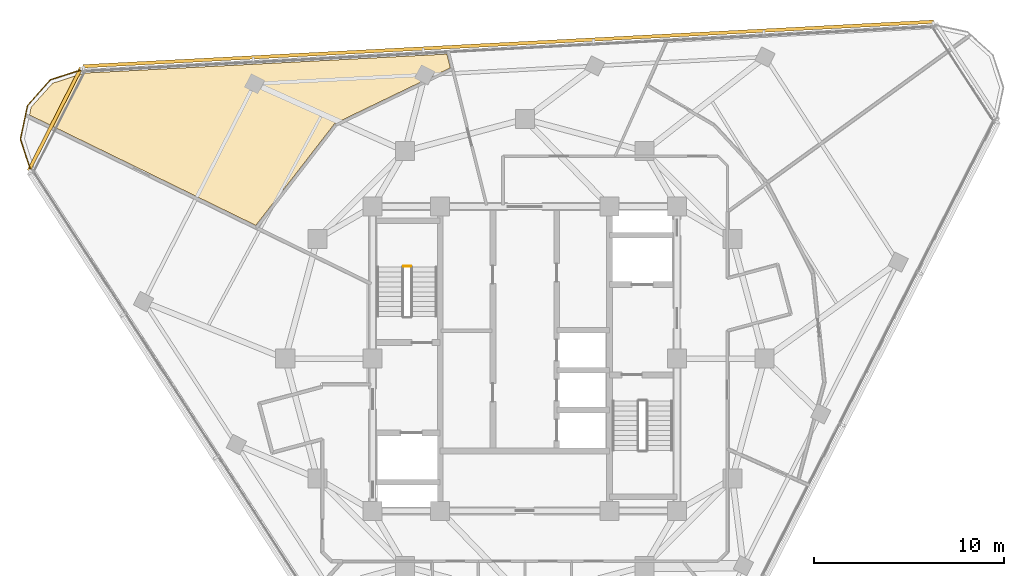
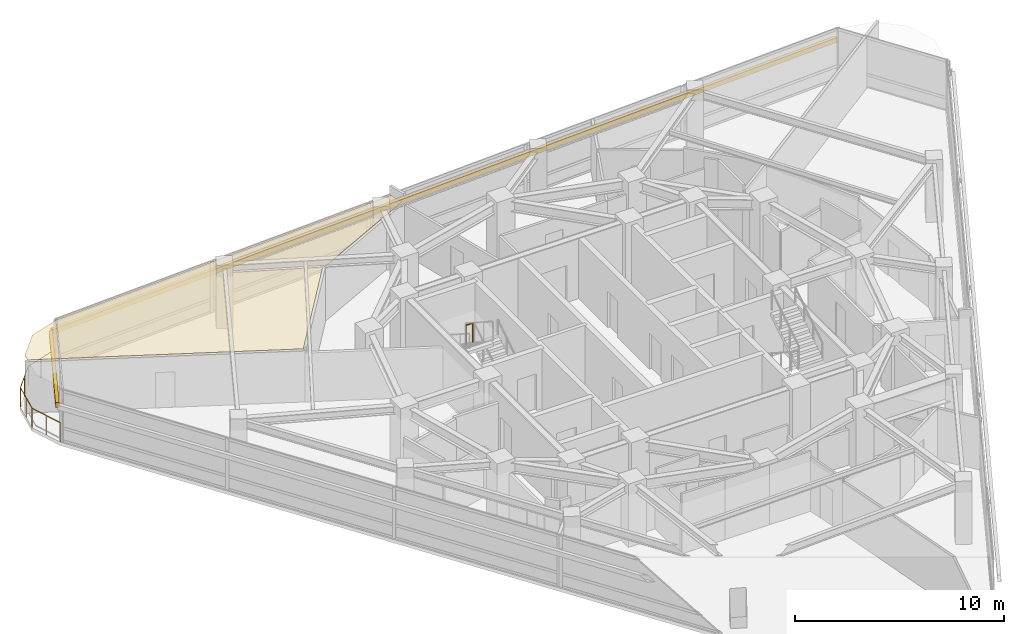
# One storey, part 14 of 15: 2 railings, 2 shading devices, 1 covering.
"""IFC4 building model written with IfcOpenShell, lengths in metres."""

from ifc_helpers import new_model, si_unit, direction, frame, origin, origin_2d, place, context, subcontext, project, spatial, polyline, rectangle, circle, outline, extrude, material, layer, layer_set, type_object, element, save


model = new_model("IFC4")

# Units and contexts
model_context = context("Model", 3, precision=1e-05, world=origin(), true_north=direction((0.0, 1.0)))
body_context = subcontext(model_context, "Body", "Model", "MODEL_VIEW")
ifc_project = project(units=[si_unit("LENGTHUNIT", "METRE"), si_unit("AREAUNIT", "SQUARE_METRE"), si_unit("VOLUMEUNIT", "CUBIC_METRE"), si_unit("PLANEANGLEUNIT", "RADIAN"), si_unit("MASSUNIT", "GRAM", prefix="KILO")], contexts=[model_context])

# Site, building, storey
site_placement = place(None, origin())
site = spatial("IfcSite", under=ifc_project, at=site_placement, CompositionType="ELEMENT")
building_placement = place(site_placement, origin())
building = spatial("IfcBuilding", under=site, at=building_placement, Name="Terralouvre Media Tower", CompositionType="ELEMENT")
storey_placement = place(building_placement, frame((0.0, 0.0, 248.5)))
storey = spatial("IfcBuildingStorey", under=building, at=storey_placement, Name="L64", CompositionType="ELEMENT", Elevation=248.5)

# Covering
ifc_material_1 = material(Name="Perforated aluminium acoustic ceiling baffle", Category="aluminium")
ifc_layer_1 = layer(ifc_material_1, 0.0400390625, Name="Perforated Acoustic Metal Tile Ceiling CL-AC1")
ifc_layer_set_1 = layer_set([ifc_layer_1], Name="Perforated aluminium acoustic ceiling baffle")
covering_type = type_object("IfcCoveringType", Name="Perforated Acoustic Metal Tile Ceiling CL-AC1", PredefinedType="CEILING", material=ifc_layer_set_1)
covering_placement = place(storey_placement, frame((0.0, 0.0, 2.97998046875), z_axis=(0.0, 0.0, 1.0), x_axis=(0.45399049974, 0.891006524188, 0.0)))
element("IfcCovering", 1, at=covering_placement, inside=storey, type_object=covering_type, Name="L64 Arts Guest Reception 12 Acoustic Ceiling", PredefinedType="CEILING", context=body_context, shape_type="SweptSolid", body=[
    extrude(outline(polyline([(6.4453125, 14.531982421875), (6.454345703125, 14.530029296875), (6.462890625, 14.527099609375), (6.471435546875, 14.523193359375), (6.4794921875, 14.518798828125), (6.4873046875, 14.513427734375), (11.851318359375, 10.434326171875), (12.413818359375, 10.92333984375), (2.855224609375, 27.47998046875), (1.63623046875, 28.699462890625), (-0.000244140625, 29.137451171875), (-0.40625, 29.028564453125), (-0.17578125, 15.789306640625), (6.4453125, 14.531982421875)])), origin(), (0.0, 0.0, 1.0), 0.0400390625),
])

# Railings
ifc_material_2 = material(Name="Stainless steel 316 handrail and balustrade", Category="steel")
ifc_layer_2 = layer(ifc_material_2, 0.06005859375, Name="Roof Edge Safety Guardrail GR-ROOF1")
ifc_layer_set_2 = layer_set([ifc_layer_2], Name="Stainless steel 316 handrail and balustrade")
railing_type_1 = type_object("IfcRailingType", Name="Roof Edge Safety Guardrail GR-ROOF1", PredefinedType="GUARDRAIL", material=ifc_layer_set_2)
railing_1_placement = place(storey_placement, frame((-23.216796875, 15.2294921875, 0.0)))
element("IfcRailing", 2, at=railing_1_placement, inside=storey, type_object=railing_type_1, Name="L64 Wind-Corner Perimeter Safety Guardrail C2", PredefinedType="GUARDRAIL", context=body_context, shape_type="SweptSolid", body=[
    extrude(circle(Radius=0.02099609375, at=origin_2d()), frame((0.0, 0.0, 1.12890625), z_axis=(-0.951160789169, -0.308695891043, 0.0), x_axis=(0.308695891043, -0.951160789169, 0.0)), (0.0, 0.0, 1.0), 1.81103515625),
    extrude(circle(Radius=0.02099609375, at=origin_2d()), frame((-1.72265625, -0.55908203125, 1.12890625), z_axis=(-0.66920303756, -0.743079601739, 0.0), x_axis=(0.743079601739, -0.66920303756, 0.0)), (0.0, 0.0, 1.0), 1.81103515625),
    extrude(circle(Radius=0.02099609375, at=origin_2d()), frame((-2.9345703125, -1.90478515625, 1.12890625), z_axis=(-0.207770065545, -0.978177693399, 0.0), x_axis=(0.978177693399, -0.207770065545, 0.0)), (0.0, 0.0, 1.0), 1.810791015625),
    extrude(circle(Radius=0.02099609375, at=origin_2d()), frame((-3.310791015625, -3.676025390625, 1.12890625), z_axis=(0.309223227826, -0.950989482262, 0.0), x_axis=(0.950989482262, 0.309223227826, 0.0)), (0.0, 0.0, 1.0), 1.811279296875),
    extrude(circle(Radius=0.01904296875, at=origin_2d()), origin(), (0.0, 0.0, 1.0), 1.10791015625),
    extrude(circle(Radius=0.01904296875, at=origin_2d()), frame((-0.861328125, -0.279541015625, 0.0)), (0.0, 0.0, 1.0), 1.10791015625),
    extrude(circle(Radius=0.01904296875, at=origin_2d()), frame((-1.72265625, -0.55908203125, 0.0)), (0.0, 0.0, 1.0), 1.10791015625),
    extrude(circle(Radius=0.01904296875, at=origin_2d()), frame((-2.32861328125, -1.23193359375, 0.0)), (0.0, 0.0, 1.0), 1.10791015625),
    extrude(circle(Radius=0.01904296875, at=origin_2d()), frame((-2.9345703125, -1.90478515625, 0.0)), (0.0, 0.0, 1.0), 1.10791015625),
    extrude(circle(Radius=0.01904296875, at=origin_2d()), frame((-3.12255859375, -2.79052734375, 0.0)), (0.0, 0.0, 1.0), 1.10791015625),
    extrude(circle(Radius=0.01904296875, at=origin_2d()), frame((-3.310791015625, -3.676025390625, 0.0)), (0.0, 0.0, 1.0), 1.10791015625),
    extrude(circle(Radius=0.01904296875, at=origin_2d()), frame((-3.03076171875, -4.537109375, 0.0)), (0.0, 0.0, 1.0), 1.10791015625),
    extrude(circle(Radius=0.01904296875, at=origin_2d()), frame((-2.750732421875, -5.3984375, 0.0)), (0.0, 0.0, 1.0), 1.10791015625),
])
ifc_material_3 = material(Name="Stainless steel 316 handrail and balustrade", Category="steel")
ifc_layer_3 = layer(ifc_material_3, 0.050048828125, Name="Stairwell Safety Guardrail GR-INT1")
ifc_layer_set_3 = layer_set([ifc_layer_3], Name="Stainless steel 316 handrail and balustrade")
railing_type_2 = type_object("IfcRailingType", Name="Stairwell Safety Guardrail GR-INT1", PredefinedType="GUARDRAIL", material=ifc_layer_set_3)
railing_2_placement = place(storey_placement, frame((-6.0, 4.8701171875, 1.85009765625)))
element("IfcRailing", 3, at=railing_2_placement, inside=storey, type_object=railing_type_2, Name="L64 ST-01 stair guard 2", PredefinedType="GUARDRAIL", context=body_context, shape_type="SweptSolid", body=[
    extrude(circle(Radius=0.02392578125, at=origin_2d()), frame((0.0, 0.0, 1.1259765625), z_axis=(-1.0, 0.0, 0.0), x_axis=(0.0, -1.0, 0.0)), (0.0, 0.0, 1.0), 0.3798828125),
    extrude(circle(Radius=0.02099609375, at=origin_2d()), origin(), (0.0, 0.0, 1.0), 1.101806640625),
    extrude(circle(Radius=0.02099609375, at=origin_2d()), frame((-0.3798828125, 0.0, 0.0)), (0.0, 0.0, 1.0), 1.101806640625),
])

# Shading devices
ifc_material_4 = material(Name="Extruded terracotta baguette sunshade louvres", Category="masonry")
shading_device_type = type_object("IfcShadingDeviceType", Name="Terracotta Baguette Sunshade Louvre Screen TB-LV1", PredefinedType="USERDEFINED", material=ifc_material_4)
shading_device_1_placement = place(storey_placement, frame((-0.867431640625, 16.550048828125, 2.02392578125), z_axis=(0.0, 0.0, 1.0), x_axis=(-0.998629523875, -0.052336163844, 0.0)))
element("IfcShadingDevice", 4, at=shading_device_1_placement, inside=storey, type_object=shading_device_type, Name="CW-L64-F1 Terracotta Baguette Sunshade Louvre", ObjectType="BAGUETTE", PredefinedType="USERDEFINED", context=body_context, shape_type="SweptSolid", body=[
    extrude(rectangle(XDim=44.800048828125, YDim=0.179931640625, at=origin_2d()), origin(), (0.0, 0.0, 1.0), 0.280029296875),
])
shading_device_2_placement = place(storey_placement, frame((-24.71240234375, 12.591552734375, 2.02392578125), z_axis=(0.0, 0.0, 1.0), x_axis=(-0.453990349937, -0.891006600517, 0.0)))
element("IfcShadingDevice", 5, at=shading_device_2_placement, inside=storey, type_object=shading_device_type, Name="CW-L64-C2 Terracotta Baguette Sunshade Louvre", ObjectType="BAGUETTE", PredefinedType="USERDEFINED", context=body_context, shape_type="SweptSolid", body=[
    extrude(rectangle(XDim=6.062255859375, YDim=0.179931640625, at=origin_2d()), origin(), (0.0, 0.0, 1.0), 0.280029296875),
])

save(model, "model.ifc")
